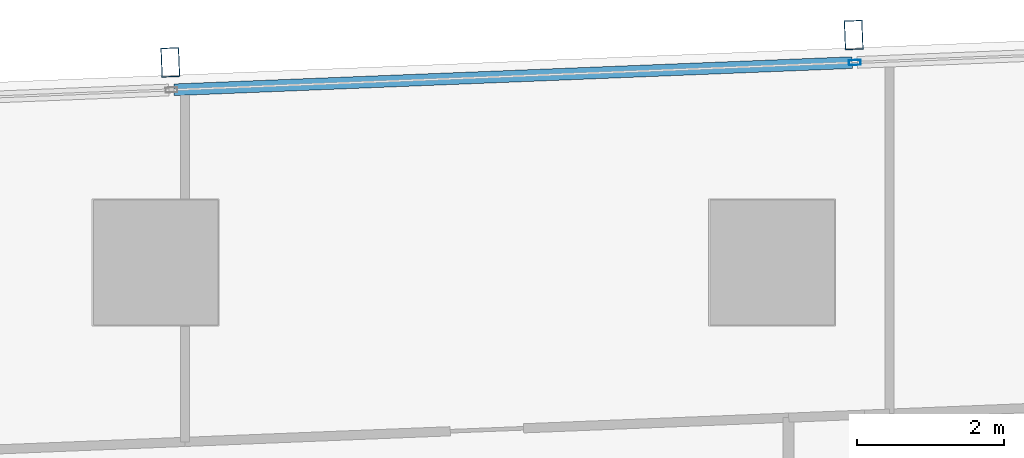
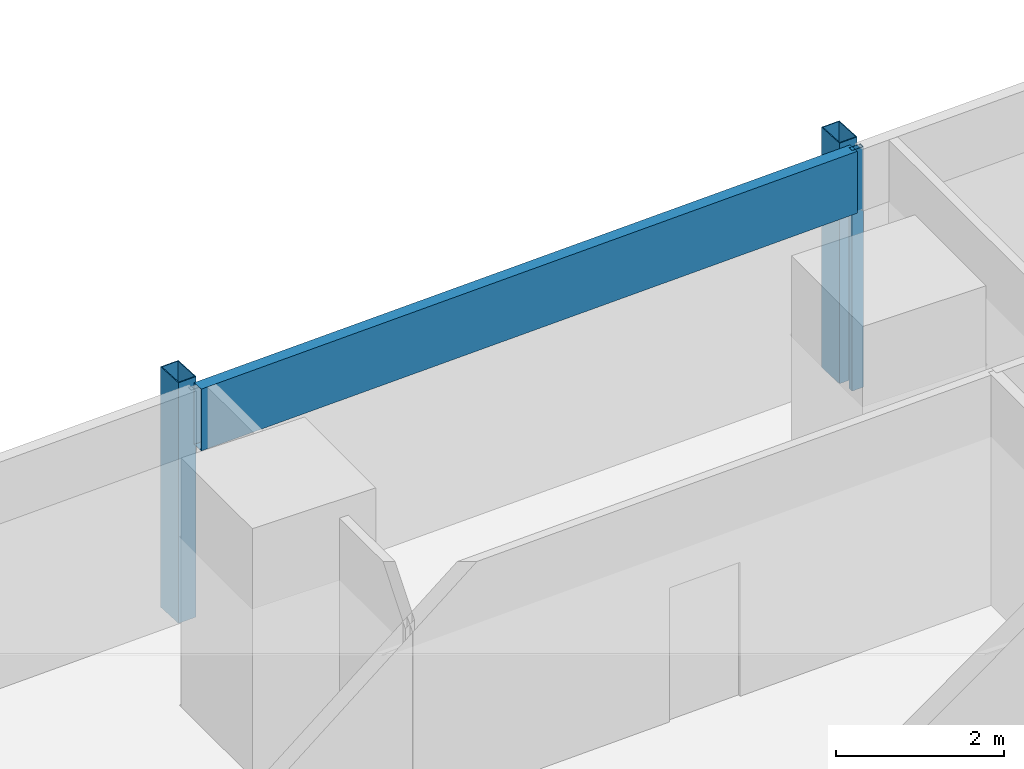
# One storey, part 15 of 38: 4 members, 1 element without a shape of its own.
"""IFC4 building model written with IfcOpenShell, lengths in metres."""

from ifc_helpers import new_model, si_unit, direction, frame, origin, origin_2d, place, context, subcontext, project, spatial, hollow_rectangle, extrude, material, material_profile, profile_set, type_object, element, aggregate, save


model = new_model("IFC4")

# Units and contexts
model_context = context("Model", 3, precision=1e-05, world=origin(), true_north=direction((0.0, 1.0)))
body_context = subcontext(model_context, "Body", "Model", "MODEL_VIEW")
ifc_project = project(units=[si_unit("LENGTHUNIT", "METRE"), si_unit("AREAUNIT", "SQUARE_METRE"), si_unit("VOLUMEUNIT", "CUBIC_METRE"), si_unit("PLANEANGLEUNIT", "RADIAN"), si_unit("MASSUNIT", "GRAM", prefix="KILO")], contexts=[model_context])

# Site, building, storey
site_placement = place(None, origin())
site = spatial("IfcSite", under=ifc_project, at=site_placement, CompositionType="ELEMENT")
building_placement = place(site_placement, origin())
building = spatial("IfcBuilding", under=site, at=building_placement, Name="Rekha Terrace Tower", CompositionType="ELEMENT")
storey_placement = place(building_placement, frame((0.0, 0.0, 114.050048828125)))
storey = spatial("IfcBuildingStorey", under=building, at=storey_placement, Name="L28", CompositionType="ELEMENT", Elevation=114.050048828125)

# Curtain wall, members
ifc_material_1 = material(Name="Aluminium framing", Category="aluminium")
curtain_wall_type = type_object("IfcCurtainWallType", Name="CW3 north unitised glazing", PredefinedType="USERDEFINED", material=ifc_material_1)
curtain_wall_placement = place(storey_placement, origin())
curtain_wall = element("IfcCurtainWall", 1, at=curtain_wall_placement, inside=storey, type_object=curtain_wall_type, Name="CW3 unitised curtain wall", ObjectType="UNITISED CURTAIN WALL", PredefinedType="USERDEFINED")
ifc_material_2 = material(Name="Steel S355 with fluorocarbon finish", Category="steel")
ifc_material_profile_1 = material_profile(ifc_material_2, hollow_rectangle(XDim=0.25, YDim=0.39990234375, WallThickness=0.012451171875, at=origin_2d()), Name="RHS400x250x12.5")
ifc_profile_set_1 = profile_set([ifc_material_profile_1], Name="Steel S355 with fluorocarbon finish")
member_type_1 = type_object("IfcMemberType", Name="BL1 facade blade RHS 400 x 250", PredefinedType="USERDEFINED", material=ifc_profile_set_1)
member_1_placement = place(storey_placement, frame((34.7109375, 61.9013671875, 0.0), z_axis=(0.0, 0.0, 1.0), x_axis=(-0.999198382632, -0.040032388711, 0.0)))
member_1 = element("IfcMember", 2, at=member_1_placement, type_object=member_type_1, Name="Facade blade", ObjectType="FACADE BLADE", PredefinedType="USERDEFINED", context=body_context, shape_type="SweptSolid", body=[
    extrude(hollow_rectangle(XDim=0.25, YDim=0.39990234375, WallThickness=0.012451171875, at=origin_2d()), origin(), (0.0, 0.0, 1.0), 3.5),
])
member_2_placement = place(storey_placement, frame((25.39892578125, 61.5283203125, 0.0), z_axis=(0.0, 0.0, 1.0), x_axis=(-0.999198382632, -0.040032388711, 0.0)))
member_2 = element("IfcMember", 3, at=member_2_placement, type_object=member_type_1, Name="Facade blade", ObjectType="FACADE BLADE", PredefinedType="USERDEFINED", context=body_context, shape_type="SweptSolid", body=[
    extrude(hollow_rectangle(XDim=0.25, YDim=0.39990234375, WallThickness=0.012451171875, at=origin_2d()), origin(), (0.0, 0.0, 1.0), 3.5),
])
ifc_material_3 = material(Name="Aluminium mullion section", Category="aluminium")
ifc_material_profile_2 = material_profile(ifc_material_3, hollow_rectangle(XDim=0.070068359375, YDim=0.159912109375, WallThickness=0.00390625, at=origin_2d()), Name="AL RHS 70x160")
ifc_profile_set_2 = profile_set([ifc_material_profile_2], Name="Aluminium mullion section")
member_type_2 = type_object("IfcMemberType", Name="CW3 mullion RHS 70 x 160", PredefinedType="MULLION", material=ifc_profile_set_2)
member_3_placement = place(storey_placement, frame((34.725830078125, 61.526611328125, 0.0), z_axis=(0.0, 0.0, 1.0), x_axis=(0.040031987119, -0.999198398721, 0.0)))
member_3 = element("IfcMember", 4, at=member_3_placement, type_object=member_type_2, Name="CW3 mullion 2", PredefinedType="MULLION", context=body_context, shape_type="SweptSolid", body=[
    extrude(hollow_rectangle(XDim=0.070068359375, YDim=0.159912109375, WallThickness=0.00390625, at=origin_2d()), origin(), (0.0, 0.0, 1.0), 3.5),
])
ifc_material_4 = material(Name="Insulated aluminium spandrel box", Category="aluminium")
ifc_material_profile_3 = material_profile(ifc_material_4, hollow_rectangle(XDim=0.159912109375, YDim=0.89990234375, WallThickness=0.0029296875, at=origin_2d()), Name="AL SPANDREL BOX 160x900")
ifc_profile_set_3 = profile_set([ifc_material_profile_3], Name="Insulated aluminium spandrel box")
member_type_3 = type_object("IfcMemberType", Name="CW3 spandrel transom 160 x 900", PredefinedType="USERDEFINED", material=ifc_profile_set_3)
member_4_placement = place(storey_placement, frame((34.69091796875, 61.525390625, 3.050048828125), z_axis=(-0.999198046754, -0.040040771263, 0.0), x_axis=(0.040040771263, -0.999198046754, 0.0)))
member_4 = element("IfcMember", 5, at=member_4_placement, type_object=member_type_3, Name="CW3 spandrel transom 2", ObjectType="TRANSOM", PredefinedType="USERDEFINED", context=body_context, shape_type="SweptSolid", body=[
    extrude(hollow_rectangle(XDim=0.159912109375, YDim=0.89990234375, WallThickness=0.0029296875, at=origin_2d()), origin(), (0.0, 0.0, 1.0), 9.24951171875),
])
aggregate(curtain_wall, [member_3, member_4, member_1, member_2])

save(model, "model.ifc")
